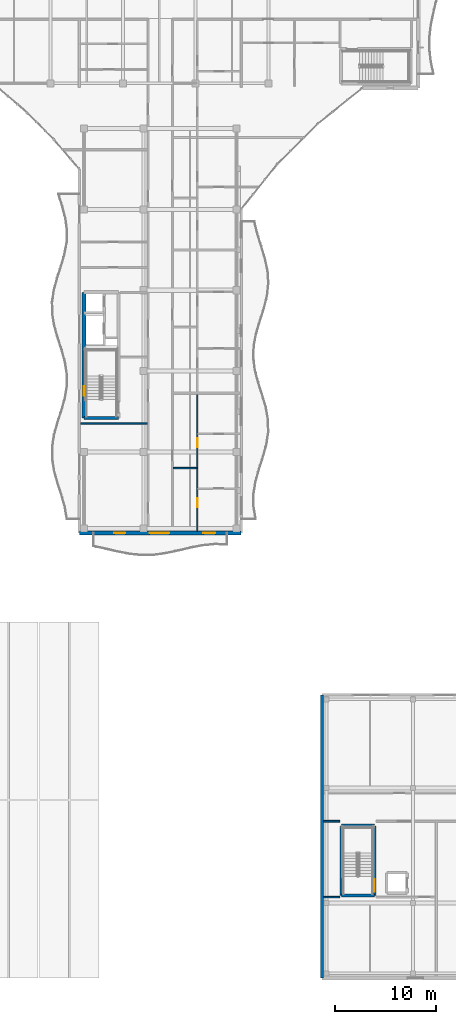
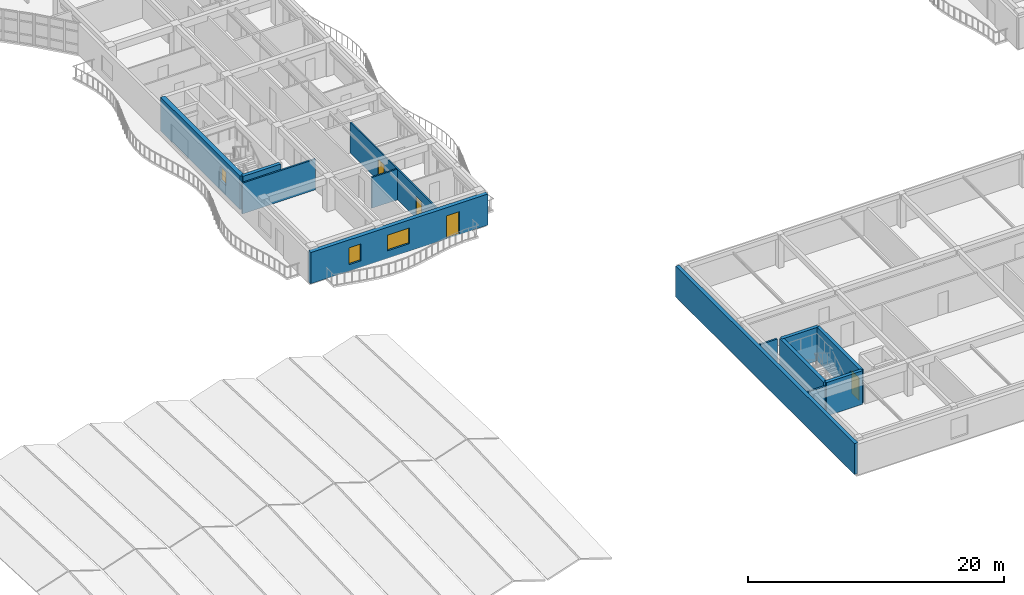
# One storey, part 47 of 89: 13 walls, 4 doors, 3 windows, 7 openings.
"""IFC4 building model written with IfcOpenShell, lengths in metres."""

from ifc_helpers import new_model, si_unit, direction, frame, frame_2d, origin, place, context, subcontext, project, spatial, rectangle, extrude, material, layer, layer_set, type_object, element, fill, save


model = new_model("IFC4")

# Units and contexts
model_context = context("Model", 3, precision=1e-05, world=origin(), true_north=direction((0.0, 1.0)))
body_context = subcontext(model_context, "Body", "Model", "MODEL_VIEW")
ifc_project = project(units=[si_unit("LENGTHUNIT", "METRE"), si_unit("AREAUNIT", "SQUARE_METRE"), si_unit("VOLUMEUNIT", "CUBIC_METRE"), si_unit("PLANEANGLEUNIT", "RADIAN"), si_unit("MASSUNIT", "GRAM", prefix="KILO")], contexts=[model_context])

# Site, building, storey
site_placement = place(None, origin())
site = spatial("IfcSite", under=ifc_project, at=site_placement, CompositionType="ELEMENT")
building_placement = place(site_placement, origin())
building = spatial("IfcBuilding", under=site, at=building_placement, Name="Keldmere Railside Commons", CompositionType="ELEMENT")
storey_placement = place(building_placement, frame((0.0, 0.0, 7.360107421875)))
storey = spatial("IfcBuildingStorey", under=building, at=storey_placement, Name="L02", CompositionType="ELEMENT", Elevation=7.360107421875)

# Wall, openings, doors
ifc_material_1 = material(Name="Acoustic Gypsum Board Partition", Category="gypsum")
ifc_layer_1 = layer(ifc_material_1, 0.1201171875, Name="Apartment Interior Partition 120")
ifc_layer_set_1 = layer_set([ifc_layer_1], Name="Acoustic Gypsum Board Partition")
wall_type_1 = type_object("IfcWallType", Name="Apartment Interior Partition 120", PredefinedType="PARTITIONING", material=ifc_layer_set_1)
wall_1_placement = place(storey_placement, frame((115.659912109375, 56.179931640625, 0.0), z_axis=(0.0, 0.0, 1.0), x_axis=(0.0, 1.0, 0.0)))
wall_1 = element("IfcWall", 1, at=wall_1_placement, inside=storey, type_object=wall_type_1, Name="IW-4 IW-L02-0977", PredefinedType="PARTITIONING", context=body_context, shape_type="SweptSolid", body=[
    extrude(rectangle(XDim=13.56005859375, YDim=0.1201171875, at=frame_2d((6.780029296875, 0.0))), origin(), (0.0, 0.0, 1.0), 2.934814453125),
])
opening_1_placement = place(wall_1_placement, frame((2.37109375, 0.0, 0.0)))
opening_1 = element("IfcOpeningElement", 2, at=opening_1_placement, cuts=wall_1, Name="Opening ID-04", PredefinedType="OPENING", context=body_context, shape_type="SweptSolid", body=[
    extrude(rectangle(XDim=0.860107421875, YDim=2.10009765625, at=frame_2d((0.43017578125, 1.050048828125))), frame((0.0, 0.070068359375, 0.0), z_axis=(0.0, -1.0, 0.0), x_axis=(1.0, 0.0, 0.0)), (0.0, 0.0, 1.0), 0.14013671875),
])
opening_2_placement = place(wall_1_placement, frame((8.28955078125, 0.0, 0.0)))
opening_2 = element("IfcOpeningElement", 3, at=opening_2_placement, cuts=wall_1, Name="Opening ID-03", PredefinedType="OPENING", context=body_context, shape_type="SweptSolid", body=[
    extrude(rectangle(XDim=0.919921875, YDim=2.10009765625, at=frame_2d((0.4599609375, 1.050048828125))), frame((0.0, 0.070068359375, 0.0), z_axis=(0.0, -1.0, 0.0), x_axis=(1.0, 0.0, 0.0)), (0.0, 0.0, 1.0), 0.14013671875),
])
ifc_material_2 = material(Name="Engineered Oak Timber", Category="wood")
door_type_1 = type_object("IfcDoorType", Name="Apartment Bathroom Door 860x2100", OperationType="NOTDEFINED", PredefinedType="DOOR", material=ifc_material_2)
door_1_placement = place(opening_1_placement, origin())
door_1 = element("IfcDoor", 4, at=door_1_placement, inside=storey, type_object=door_type_1, Name="ID-04 IDR-L02-0843", OperationType="SINGLE_SWING_LEFT", OverallHeight=2.10009765625, OverallWidth=0.860107421875, PredefinedType="DOOR", context=body_context, shape_type="SweptSolid", body=[
    extrude(rectangle(XDim=0.860107421875, YDim=2.10009765625, at=frame_2d((0.43017578125, 1.050048828125))), frame((0.0, 0.02490234375, 0.0), z_axis=(0.0, -1.0, 0.0), x_axis=(1.0, 0.0, 0.0)), (0.0, 0.0, 1.0), 0.050048828125),
])
fill(opening_1, door_1)
door_type_2 = type_object("IfcDoorType", Name="Kitchen Pocket-Frame Swing Door 920x2100", OperationType="NOTDEFINED", PredefinedType="DOOR", material=ifc_material_2)
door_2_placement = place(opening_2_placement, origin())
door_2 = element("IfcDoor", 5, at=door_2_placement, inside=storey, type_object=door_type_2, Name="ID-03 IDR-L02-0844", OperationType="SINGLE_SWING_RIGHT", OverallHeight=2.10009765625, OverallWidth=0.919921875, PredefinedType="DOOR", context=body_context, shape_type="SweptSolid", body=[
    extrude(rectangle(XDim=0.919921875, YDim=2.10009765625, at=frame_2d((0.4599609375, 1.050048828125))), frame((0.0, 0.02490234375, 0.0), z_axis=(0.0, -1.0, 0.0), x_axis=(1.0, 0.0, 0.0)), (0.0, 0.0, 1.0), 0.050048828125),
])
fill(opening_2, door_2)

# Wall, opening, window
ifc_material_3 = material(Name="Concrete H-40 (C40/50)", Category="concrete")
ifc_layer_2 = layer(ifc_material_3, 0.3798828125, Name="Core Shear Wall 380")
ifc_layer_set_2 = layer_set([ifc_layer_2], Name="Concrete H-40 (C40/50)")
wall_type_2 = type_object("IfcWallType", Name="Core Shear Wall 380", PredefinedType="SHEAR", material=ifc_layer_set_2)
wall_2_placement = place(storey_placement, frame((104.4599609375, 67.35009765625, 0.0), z_axis=(0.0, 0.0, 1.0), x_axis=(0.0, 1.0, 0.0)))
wall_2 = element("IfcWall", 6, at=wall_2_placement, inside=storey, type_object=wall_type_2, Name="CW-CORE COREBW-L02-0456", PredefinedType="SHEAR", context=body_context, shape_type="SweptSolid", body=[
    extrude(rectangle(XDim=12.449951171875, YDim=0.3798828125, at=frame_2d((6.22509765625, 0.0))), origin(), (0.0, 0.0, 1.0), 3.199951171875),
])
opening_3_placement = place(wall_2_placement, frame((2.199951171875, 0.0, 0.969970703125)))
opening_3 = element("IfcOpeningElement", 7, at=opening_3_placement, cuts=wall_2, Name="Opening WN-17", PredefinedType="OPENING", context=body_context, shape_type="SweptSolid", body=[
    extrude(rectangle(XDim=0.949951171875, YDim=1.25, at=frame_2d((0.47509765625, 0.625))), frame((0.0, 0.199951171875, 0.0), z_axis=(0.0, -1.0, 0.0), x_axis=(1.0, 0.0, 0.0)), (0.0, 0.0, 1.0), 0.39990234375),
])
ifc_material_4 = material(Name="Low-E Insulated Double Glazing", Category="glass")
window_type_1 = type_object("IfcWindowType", Name="Stair Core Natural Smoke-Vent Window 950x1250", PartitioningType="SINGLE_PANEL", PredefinedType="WINDOW", material=ifc_material_4)
window_1_placement = place(opening_3_placement, origin())
window_1 = element("IfcWindow", 8, at=window_1_placement, inside=storey, type_object=window_type_1, Name="WN-17 WIN-L02-0339", OverallHeight=1.25, OverallWidth=0.949951171875, PartitioningType="SINGLE_PANEL", PredefinedType="WINDOW", context=body_context, shape_type="SweptSolid", body=[
    extrude(rectangle(XDim=0.949951171875, YDim=1.25, at=frame_2d((0.47509765625, 0.625))), frame((0.0, 0.030029296875, 0.0), z_axis=(0.0, -1.0, 0.0), x_axis=(1.0, 0.0, 0.0)), (0.0, 0.0, 1.0), 0.06005859375),
])
fill(opening_3, window_1)

# Walls
ifc_layer_3 = layer(ifc_material_1, 0.159912109375, Name="Corridor Fire Partition 160")
ifc_layer_set_3 = layer_set([ifc_layer_3], Name="Acoustic Gypsum Board Partition")
wall_type_3 = type_object("IfcWallType", Name="Corridor Fire Partition 160", PredefinedType="PARTITIONING", material=ifc_layer_set_3)
for number, where, z_axis, x_axis, name in (
    (9, (128.159912109375, 27.5, 0.0), (0.0, 0.0, 1.0), (1.0, 0.0, 0.0), "IW-2 IW-L02-0164"),
    (10, (128.159912109375, 20.0, 0.0), (0.0, 0.0, 1.0), (1.0, 0.0, 0.0), "IW-2 IW-L02-0175"),
):
    element("IfcWall", number, at=place(storey_placement, frame(where, z_axis=z_axis, x_axis=x_axis)), inside=storey, type_object=wall_type_3, Name=name, PredefinedType="PARTITIONING", context=body_context, shape_type="SweptSolid", body=[
        extrude(rectangle(XDim=1.60009765625, YDim=0.159912109375, at=frame_2d((0.800048828125, 0.0))), origin(), (0.0, 0.0, 1.0), 2.929931640625),
    ])
ifc_material_5 = material(Name="Concrete H-35 (C35/45)", Category="concrete")
ifc_layer_4 = layer(ifc_material_5, 0.320068359375, Name="Exterior Shear Wall 320")
ifc_layer_set_4 = layer_set([ifc_layer_4], Name="Concrete H-35 (C35/45)")
wall_type_4 = type_object("IfcWallType", Name="Exterior Shear Wall 320", PredefinedType="SHEAR", material=ifc_layer_set_4)
wall_3_placement = place(storey_placement, frame((128.0, 12.0, 0.0), z_axis=(0.0, 0.0, 1.0), x_axis=(0.0, 1.0, 0.0)))
element("IfcWall", 11, at=wall_3_placement, inside=storey, type_object=wall_type_4, Name="ESW-2 ARCW-L02-1022", PredefinedType="SHEAR", context=body_context, shape_type="SweptSolid", body=[
    extrude(rectangle(XDim=28.0, YDim=0.320068359375, at=frame_2d((14.0, 0.0))), origin(), (0.0, 0.0, 1.0), 2.949951171875),
])

# Wall, openings, windows, door
ifc_layer_5 = layer(ifc_material_5, 0.360107421875, Name="Exterior Shear Wall 360")
ifc_layer_set_5 = layer_set([ifc_layer_5], Name="Concrete H-35 (C35/45)")
wall_type_5 = type_object("IfcWallType", Name="Exterior Shear Wall 360", PredefinedType="SHEAR", material=ifc_layer_set_5)
wall_4_placement = place(storey_placement, frame((120.0, 56.0, 0.0), z_axis=(0.0, 0.0, 1.0), x_axis=(-1.0, 0.0, 0.0)))
wall_4 = element("IfcWall", 12, at=wall_4_placement, inside=storey, type_object=wall_type_5, Name="ESW-1 EXTB-L02-0593", PredefinedType="SHEAR", context=body_context, shape_type="SweptSolid", body=[
    extrude(rectangle(XDim=16.0, YDim=0.360107421875, at=frame_2d((8.0, 0.0))), origin(), (0.0, 0.0, 1.0), 2.97998046875),
])
opening_4_placement = place(wall_4_placement, frame((2.550048828125, 0.0, 0.0)))
opening_4 = element("IfcOpeningElement", 13, at=opening_4_placement, cuts=wall_4, Name="Opening BD-01", PredefinedType="OPENING", context=body_context, shape_type="SweptSolid", body=[
    extrude(rectangle(XDim=1.199951171875, YDim=2.199951171875, at=frame_2d((0.60009765625, 1.10009765625))), frame((0.0, 0.18994140625, 0.0), z_axis=(0.0, -1.0, 0.0), x_axis=(1.0, 0.0, 0.0)), (0.0, 0.0, 1.0), 0.380126953125),
])
opening_5_placement = place(wall_4_placement, frame((7.10009765625, 0.0, 0.719970703125)))
opening_5 = element("IfcOpeningElement", 14, at=opening_5_placement, cuts=wall_4, Name="Opening WN-38", PredefinedType="OPENING", context=body_context, shape_type="SweptSolid", body=[
    extrude(rectangle(XDim=1.949951171875, YDim=1.5, at=frame_2d((0.97509765625, 0.75))), frame((0.0, 0.18994140625, 0.0), z_axis=(0.0, -1.0, 0.0), x_axis=(1.0, 0.0, 0.0)), (0.0, 0.0, 1.0), 0.380126953125),
])
opening_6_placement = place(wall_4_placement, frame((11.449951171875, 0.0, 0.6201171875)))
opening_6 = element("IfcOpeningElement", 15, at=opening_6_placement, cuts=wall_4, Name="Opening WN-16", PredefinedType="OPENING", context=body_context, shape_type="SweptSolid", body=[
    extrude(rectangle(XDim=1.10009765625, YDim=1.60009765625, at=frame_2d((0.550048828125, 0.800048828125))), frame((0.0, 0.18994140625, 0.0), z_axis=(0.0, -1.0, 0.0), x_axis=(1.0, 0.0, 0.0)), (0.0, 0.0, 1.0), 0.380126953125),
])
window_type_2 = type_object("IfcWindowType", Name="Adaptable Apartment Wide Window 1950x1500", PartitioningType="SINGLE_PANEL", PredefinedType="WINDOW", material=ifc_material_4)
window_2_placement = place(opening_5_placement, origin())
window_2 = element("IfcWindow", 16, at=window_2_placement, inside=storey, type_object=window_type_2, Name="WN-38 WIN-L02-0382", OverallHeight=1.5, OverallWidth=1.949951171875, PartitioningType="SINGLE_PANEL", PredefinedType="WINDOW", context=body_context, shape_type="SweptSolid", body=[
    extrude(rectangle(XDim=1.949951171875, YDim=1.5, at=frame_2d((0.97509765625, 0.75))), frame((0.0, 0.030029296875, 0.0), z_axis=(0.0, -1.0, 0.0), x_axis=(1.0, 0.0, 0.0)), (0.0, 0.0, 1.0), 0.06005859375),
])
fill(opening_5, window_2)
ifc_material_6 = material(Name="Thermally Broken Aluminium", Category="aluminium")
door_type_3 = type_object("IfcDoorType", Name="Apartment Living Wave-Balcony Glazed Door 1200x2200", OperationType="NOTDEFINED", PredefinedType="DOOR", material=ifc_material_6)
door_3_placement = place(opening_4_placement, origin())
door_3 = element("IfcDoor", 17, at=door_3_placement, inside=storey, type_object=door_type_3, Name="BD-01 DR-L02-0136", OperationType="SINGLE_SWING_RIGHT", OverallHeight=2.199951171875, OverallWidth=1.199951171875, PredefinedType="DOOR", context=body_context, shape_type="SweptSolid", body=[
    extrude(rectangle(XDim=1.199951171875, YDim=2.199951171875, at=frame_2d((0.60009765625, 1.10009765625))), frame((0.0, 0.02490234375, 0.0), z_axis=(0.0, -1.0, 0.0), x_axis=(1.0, 0.0, 0.0)), (0.0, 0.0, 1.0), 0.050048828125),
])
fill(opening_4, door_3)
window_type_3 = type_object("IfcWindowType", Name="Corridor End Daylight Window 1100x1600", PartitioningType="SINGLE_PANEL", PredefinedType="WINDOW", material=ifc_material_4)
window_3_placement = place(opening_6_placement, origin())
window_3 = element("IfcWindow", 18, at=window_3_placement, inside=storey, type_object=window_type_3, Name="WN-16 WIN-L02-0383", OverallHeight=1.60009765625, OverallWidth=1.10009765625, PartitioningType="SINGLE_PANEL", PredefinedType="WINDOW", context=body_context, shape_type="SweptSolid", body=[
    extrude(rectangle(XDim=1.10009765625, YDim=1.60009765625, at=frame_2d((0.550048828125, 0.800048828125))), frame((0.0, 0.030029296875, 0.0), z_axis=(0.0, -1.0, 0.0), x_axis=(1.0, 0.0, 0.0)), (0.0, 0.0, 1.0), 0.06005859375),
])
fill(opening_6, window_3)

# Walls
ifc_layer_6 = layer(ifc_material_5, 0.300048828125, Name="Interior Shear Wall 300")
ifc_layer_set_6 = layer_set([ifc_layer_6], Name="Concrete H-35 (C35/45)")
wall_type_6 = type_object("IfcWallType", Name="Interior Shear Wall 300", PredefinedType="SHEAR", material=ifc_layer_set_6)
wall_5_placement = place(storey_placement, frame((107.8701171875, 67.35009765625, 0.0), z_axis=(0.0, 0.0, 1.0), x_axis=(-1.0, 0.0, 0.0)))
element("IfcWall", 19, at=wall_5_placement, inside=storey, type_object=wall_type_6, Name="ISW-2 COREBS-L02-0459", PredefinedType="SHEAR", context=body_context, shape_type="SweptSolid", body=[
    extrude(rectangle(XDim=3.41015625, YDim=0.300048828125, at=frame_2d((1.705078125, 0.0))), origin(), (0.0, 0.0, 1.0), 3.199951171875),
])
wall_6_placement = place(storey_placement, frame((133.199951171875, 20.14990234375, 0.0), z_axis=(0.0, 0.0, 1.0), x_axis=(-1.0, 0.0, 0.0)))
element("IfcWall", 20, at=wall_6_placement, inside=storey, type_object=wall_type_6, Name="ISW-2 WAL-ST-M1-L02-S", PredefinedType="SHEAR", context=body_context, shape_type="SweptSolid", body=[
    extrude(rectangle(XDim=3.2900390625, YDim=0.300048828125, at=frame_2d((1.64501953125, 0.0))), origin(), (0.0, 0.0, 1.0), 3.199951171875),
])

# Wall, opening, door
wall_7_placement = place(storey_placement, frame((133.199951171875, 27.050048828125, 0.0), z_axis=(0.0, 0.0, 1.0), x_axis=(0.0, -1.0, 0.0)))
wall_7 = element("IfcWall", 21, at=wall_7_placement, inside=storey, type_object=wall_type_6, Name="ISW-2 WAL-ST-M1-L02-E", PredefinedType="SHEAR", context=body_context, shape_type="SweptSolid", body=[
    extrude(rectangle(XDim=6.900146484375, YDim=0.300048828125, at=frame_2d((3.4501953125, 0.0))), origin(), (0.0, 0.0, 1.0), 3.199951171875),
])
opening_7_placement = place(wall_7_placement, frame((5.300048828125, 0.0, 0.0)))
opening_7 = element("IfcOpeningElement", 22, at=opening_7_placement, cuts=wall_7, Name="Opening FD-10", PredefinedType="OPENING", context=body_context, shape_type="SweptSolid", body=[
    extrude(rectangle(XDim=1.199951171875, YDim=2.199951171875, at=frame_2d((0.60009765625, 1.10009765625))), frame((0.0, 0.159912109375, 0.0), z_axis=(0.0, -1.0, 0.0), x_axis=(1.0, 0.0, 0.0)), (0.0, 0.0, 1.0), 0.320068359375),
])
ifc_material_7 = material(Name="Steel F-24 (S235)", Category="steel")
door_type_4 = type_object("IfcDoorType", Name="Civic Core Fire Door 1200x2200", OperationType="NOTDEFINED", PredefinedType="DOOR", material=ifc_material_7)
door_4_placement = place(opening_7_placement, origin())
door_4 = element("IfcDoor", 23, at=door_4_placement, inside=storey, type_object=door_type_4, Name="FD-3 ST-M1 L02", OperationType="SINGLE_SWING_LEFT", OverallHeight=2.199951171875, OverallWidth=1.199951171875, PredefinedType="DOOR", context=body_context, shape_type="SweptSolid", body=[
    extrude(rectangle(XDim=1.199951171875, YDim=2.199951171875, at=frame_2d((0.60009765625, 1.10009765625))), frame((0.0, 0.02490234375, 0.0), z_axis=(0.0, -1.0, 0.0), x_axis=(1.0, 0.0, 0.0)), (0.0, 0.0, 1.0), 0.050048828125),
])
fill(opening_7, door_4)

# Walls
wall_8_placement = place(storey_placement, frame((129.909912109375, 27.050048828125, 0.0), z_axis=(0.0, 0.0, 1.0), x_axis=(1.0, 0.0, 0.0)))
element("IfcWall", 24, at=wall_8_placement, inside=storey, type_object=wall_type_6, Name="ISW-2 WAL-ST-M1-L02-N", PredefinedType="SHEAR", context=body_context, shape_type="SweptSolid", body=[
    extrude(rectangle(XDim=3.2900390625, YDim=0.300048828125, at=frame_2d((1.64501953125, 0.0))), origin(), (0.0, 0.0, 1.0), 3.199951171875),
])
wall_9_placement = place(storey_placement, frame((129.909912109375, 20.14990234375, 0.0), z_axis=(0.0, 0.0, 1.0), x_axis=(0.0, 1.0, 0.0)))
element("IfcWall", 25, at=wall_9_placement, inside=storey, type_object=wall_type_6, Name="ISW-2 WAL-ST-M1-L02-W", PredefinedType="SHEAR", context=body_context, shape_type="SweptSolid", body=[
    extrude(rectangle(XDim=6.900146484375, YDim=0.300048828125, at=frame_2d((3.4501953125, 0.0))), origin(), (0.0, 0.0, 1.0), 3.199951171875),
])
ifc_layer_7 = layer(ifc_material_1, 0.14990234375, Name="Lobby Rated Partition 150")
ifc_layer_set_7 = layer_set([ifc_layer_7], Name="Acoustic Gypsum Board Partition")
wall_type_7 = type_object("IfcWallType", Name="Lobby Rated Partition 150", PredefinedType="PARTITIONING", material=ifc_layer_set_7)
wall_10_placement = place(storey_placement, frame((104.1298828125, 66.820068359375, 0.0), z_axis=(0.0, 0.0, 1.0), x_axis=(1.0, 0.0, 0.0)))
element("IfcWall", 26, at=wall_10_placement, inside=storey, type_object=wall_type_7, Name="IW-3 IW-L02-0962", PredefinedType="PARTITIONING", context=body_context, shape_type="SweptSolid", body=[
    extrude(rectangle(XDim=6.590087890625, YDim=0.14990234375, at=frame_2d((3.294921875, 0.0))), origin(), (0.0, 0.0, 1.0), 2.934814453125),
])
ifc_layer_8 = layer(ifc_material_1, 0.139892578125, Name="Wet-Room Sanitary Partition 140")
ifc_layer_set_8 = layer_set([ifc_layer_8], Name="Acoustic Gypsum Board Partition")
wall_type_8 = type_object("IfcWallType", Name="Wet-Room Sanitary Partition 140", PredefinedType="PARTITIONING", material=ifc_layer_set_8)
wall_11_placement = place(storey_placement, frame((113.280029296875, 62.419921875, 0.0), z_axis=(0.0, 0.0, 1.0), x_axis=(1.0, 0.0, 0.0)))
element("IfcWall", 27, at=wall_11_placement, inside=storey, type_object=wall_type_8, Name="IW-5 IW-L02-0978", PredefinedType="PARTITIONING", context=body_context, shape_type="SweptSolid", body=[
    extrude(rectangle(XDim=2.320068359375, YDim=0.139892578125, at=frame_2d((1.16015625, 0.0))), origin(), (0.0, 0.0, 1.0), 2.934814453125),
])

save(model, "model.ifc")
